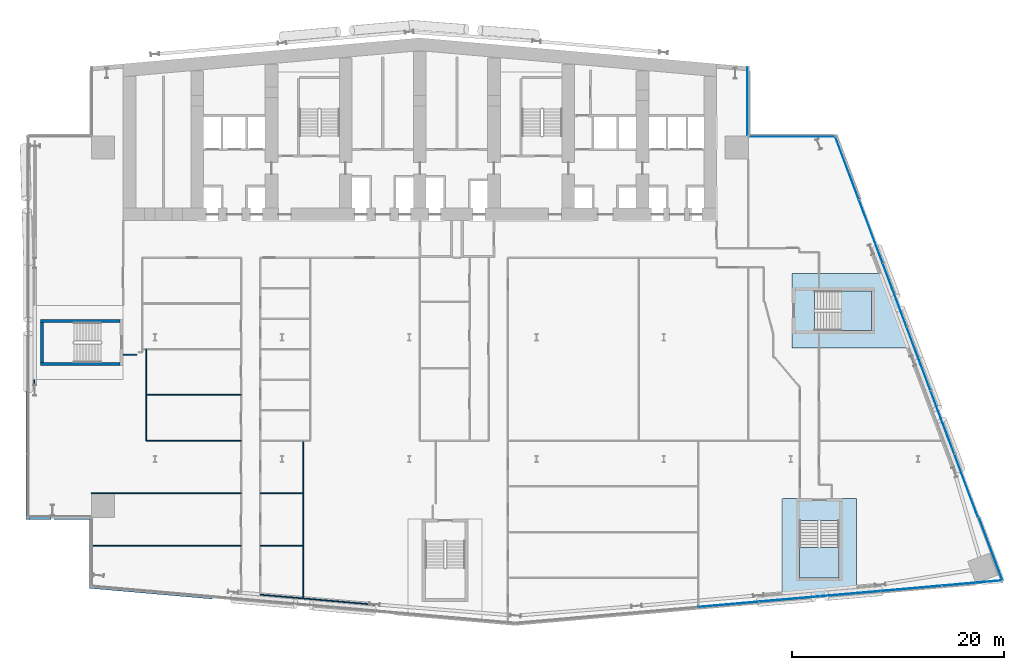
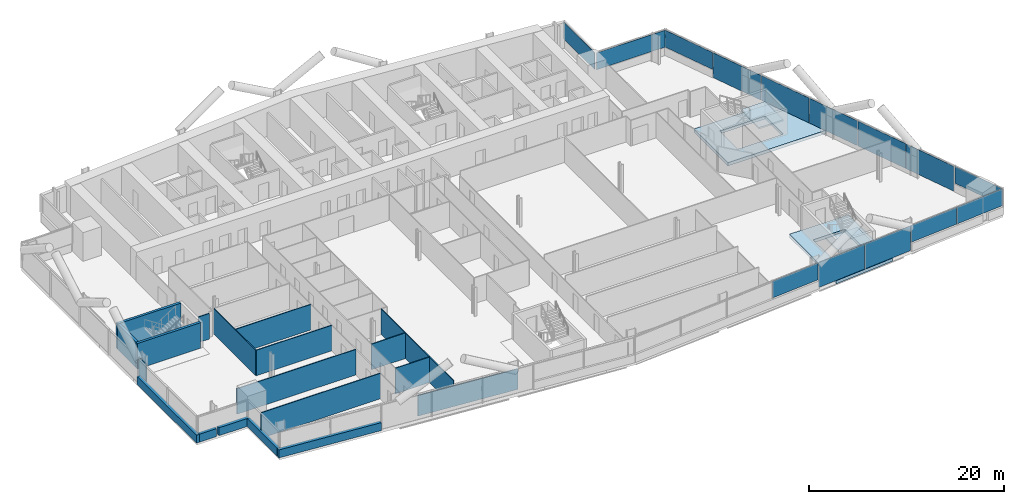
# One storey, part 12 of 27: 19 walls, 14 plates, 4 slabs, 6 elements without a shape of their own.
"""IFC4 building model written with IfcOpenShell, lengths in metres."""

from ifc_helpers import new_model, si_unit, direction, frame, frame_2d, origin, origin_2d, place, context, subcontext, project, spatial, polyline, rectangle, outline, extrude, material, layer, layer_set, type_object, element, aggregate, save


model = new_model("IFC4")

# Units and contexts
model_context = context("Model", 3, precision=1e-05, world=origin(), true_north=direction((0.0, 1.0)))
body_context = subcontext(model_context, "Body", "Model", "MODEL_VIEW")
ifc_project = project(units=[si_unit("LENGTHUNIT", "METRE"), si_unit("AREAUNIT", "SQUARE_METRE"), si_unit("VOLUMEUNIT", "CUBIC_METRE"), si_unit("PLANEANGLEUNIT", "RADIAN"), si_unit("MASSUNIT", "GRAM", prefix="KILO")], contexts=[model_context])

# Site, building, storey
site_placement = place(None, origin())
site = spatial("IfcSite", under=ifc_project, at=site_placement, CompositionType="ELEMENT")
building_placement = place(site_placement, origin())
building = spatial("IfcBuilding", under=site, at=building_placement, Name="Wharfspan Tower", CompositionType="ELEMENT")
storey_placement = place(building_placement, frame((0.0, 0.0, 81.100098)))
storey = spatial("IfcBuildingStorey", under=building, at=storey_placement, Name="L17", CompositionType="ELEMENT", Elevation=81.100098)

# Curtain wall, plates
ifc_material_1 = material(Name="Aluminium 6063-T6", Category="aluminium")
curtain_wall_type_1 = type_object("IfcCurtainWallType", Name="CURTAIN WALL FACETED FRONT", PredefinedType="NOTDEFINED", material=ifc_material_1)
curtain_wall_1_placement = place(storey_placement, origin())
curtain_wall_1 = element("IfcCurtainWall", 1, at=curtain_wall_1_placement, inside=storey, type_object=curtain_wall_type_1, Name="Curtain wall S2", PredefinedType="NOTDEFINED")
ifc_material_2 = material(Name="Glass clear low-iron double glazing", Category="glass")
ifc_layer_1 = layer(ifc_material_2, 0.040039)
ifc_layer_set_1 = layer_set([ifc_layer_1], Name="Glass clear low-iron double glazing")
plate_type_1 = type_object("IfcPlateType", Name="GLASS PANEL FACETED FRONT 40", PredefinedType="CURTAIN_PANEL", material=ifc_layer_set_1)
plate_1_placement = place(storey_placement, frame((66.119873, -2.204102, 0.999756), z_axis=(0.0, 0.0, 1.0), x_axis=(0.996197, 0.087156, 0.0)))
plate_1 = element("IfcPlate", 2, at=plate_1_placement, type_object=plate_type_1, Name="Curtain wall S2 panel 4", PredefinedType="CURTAIN_PANEL", context=body_context, shape_type="SweptSolid", body=[
    extrude(rectangle(XDim=5.711914, YDim=0.040039, at=origin_2d()), origin(), (0.0, 0.0, 1.0), 2.120117),
])
plate_2_placement = place(storey_placement, frame((83.369873, -0.694824, 0.999756), z_axis=(0.0, 0.0, 1.0), x_axis=(0.996197, 0.087156, 0.0)))
plate_2 = element("IfcPlate", 3, at=plate_2_placement, type_object=plate_type_1, Name="Curtain wall S2 panel 7", PredefinedType="CURTAIN_PANEL", context=body_context, shape_type="SweptSolid", body=[
    extrude(rectangle(XDim=5.711914, YDim=0.040039, at=origin_2d()), origin(), (0.0, 0.0, 1.0), 2.120117),
])
plate_3_placement = place(storey_placement, frame((89.104736, -0.193115, 0.999756), z_axis=(0.0, 0.0, 1.0), x_axis=(0.996197, 0.087156, 0.0)))
plate_3 = element("IfcPlate", 4, at=plate_3_placement, type_object=plate_type_1, Name="Curtain wall S2 panel 8", PredefinedType="CURTAIN_PANEL", context=body_context, shape_type="SweptSolid", body=[
    extrude(rectangle(XDim=5.681885, YDim=0.040039, at=origin_2d()), origin(), (0.0, 0.0, 1.0), 2.120117),
])

curtain_wall_type_2 = type_object("IfcCurtainWallType", Name="CURTAIN WALL PROW AND END", PredefinedType="NOTDEFINED", material=ifc_material_1)
curtain_wall_2_placement = place(storey_placement, origin())
curtain_wall_2 = element("IfcCurtainWall", 5, at=curtain_wall_2_placement, inside=storey, type_object=curtain_wall_type_2, Name="Curtain wall E", PredefinedType="NOTDEFINED")
ifc_layer_2 = layer(ifc_material_2, 0.040039)
ifc_layer_set_2 = layer_set([ifc_layer_2], Name="Glass clear low-iron double glazing")
plate_type_2 = type_object("IfcPlateType", Name="GLASS PANEL PROW AND END 40", PredefinedType="CURTAIN_PANEL", material=ifc_layer_set_2)
plate_4_placement = place(storey_placement, frame((90.869629, 3.01416, 0.999756), z_axis=(0.0, 0.0, 1.0), x_axis=(-0.351123, 0.936328, 0.0)))
plate_4 = element("IfcPlate", 6, at=plate_4_placement, type_object=plate_type_2, Name="Curtain wall E panel 1", PredefinedType="CURTAIN_PANEL", context=body_context, shape_type="SweptSolid", body=[
    extrude(rectangle(XDim=6.318115, YDim=0.040039, at=origin_2d()), origin(), (0.0, 0.0, 1.0), 2.120117),
])
plate_5_placement = place(storey_placement, frame((77.30542, 38.957764, 0.999756), z_axis=(0.0, 0.0, 1.0), x_axis=(-0.351123, 0.936328, 0.0)))
plate_5 = element("IfcPlate", 7, at=plate_5_placement, type_object=plate_type_2, Name="Curtain wall E panel 7", PredefinedType="CURTAIN_PANEL", context=body_context, shape_type="SweptSolid", body=[
    extrude(rectangle(XDim=6.318115, YDim=0.040039, at=origin_2d()), origin(), (0.0, 0.0, 1.0), 2.120117),
])

# Curtain wall, plate
curtain_wall_3_placement = place(storey_placement, origin())
curtain_wall_3 = element("IfcCurtainWall", 8, at=curtain_wall_3_placement, inside=storey, type_object=curtain_wall_type_2, Name="Curtain wall NRE-H", PredefinedType="NOTDEFINED")
plate_6_placement = place(storey_placement, frame((72.125, 41.919922, 0.999756), z_axis=(0.0, 0.0, 1.0), x_axis=(-1.0, 0.0, 0.0)))
plate_6 = element("IfcPlate", 9, at=plate_6_placement, type_object=plate_type_2, Name="Curtain wall NRE-H panel 1", PredefinedType="CURTAIN_PANEL", context=body_context, shape_type="SweptSolid", body=[
    extrude(rectangle(XDim=8.129883, YDim=0.040039, at=origin_2d()), origin(), (0.0, 0.0, 1.0), 2.120117),
])
aggregate(curtain_wall_3, [plate_6])

curtain_wall_4_placement = place(storey_placement, origin())
curtain_wall_4 = element("IfcCurtainWall", 10, at=curtain_wall_4_placement, inside=storey, type_object=curtain_wall_type_2, Name="Curtain wall NRE-V", PredefinedType="NOTDEFINED")
plate_7_placement = place(storey_placement, frame((67.919922, 45.262451, 0.999756), z_axis=(0.0, 0.0, 1.0), x_axis=(0.0, 1.0, 0.0)))
plate_7 = element("IfcPlate", 11, at=plate_7_placement, type_object=plate_type_2, Name="Curtain wall NRE-V panel 1", PredefinedType="CURTAIN_PANEL", context=body_context, shape_type="SweptSolid", body=[
    extrude(rectangle(XDim=6.405029, YDim=0.040039, at=origin_2d()), origin(), (0.0, 0.0, 1.0), 2.120117),
])
aggregate(curtain_wall_4, [plate_7])

# Plate
ifc_material_3 = material(Name="Aluminium composite opaque insulated panel", Category="aluminium")
ifc_layer_3 = layer(ifc_material_3, 0.040039)
ifc_layer_set_3 = layer_set([ifc_layer_3], Name="Aluminium composite opaque insulated panel")
plate_type_3 = type_object("IfcPlateType", Name="INFILL PANEL FACETED FRONT OPAQUE 40", PredefinedType="SHEET", material=ifc_layer_set_3)
plate_8_placement = place(storey_placement, frame((71.869873, -1.700928, -0.000244), z_axis=(0.0, 0.0, 1.0), x_axis=(0.996197, 0.087156, 0.0)))
plate_8 = element("IfcPlate", 12, at=plate_8_placement, type_object=plate_type_3, Name="Curtain wall S2 panel 5", PredefinedType="SHEET", context=body_context, shape_type="SweptSolid", body=[
    extrude(rectangle(XDim=5.711914, YDim=0.040039, at=origin_2d()), origin(), (0.0, 0.0, 1.0), 3.120117),
])

plate_9_placement = place(storey_placement, frame((77.619873, -1.197998, -0.000244), z_axis=(0.0, 0.0, 1.0), x_axis=(0.996197, 0.087156, 0.0)))
plate_9 = element("IfcPlate", 13, at=plate_9_placement, type_object=plate_type_3, Name="Curtain wall S2 panel 6", PredefinedType="SHEET", context=body_context, shape_type="SweptSolid", body=[
    extrude(rectangle(XDim=5.711914, YDim=0.040039, at=origin_2d()), origin(), (0.0, 0.0, 1.0), 3.120117),
])

aggregate(curtain_wall_1, [plate_1, plate_8, plate_9, plate_2, plate_3])

ifc_layer_4 = layer(ifc_material_3, 0.040039)
ifc_layer_set_4 = layer_set([ifc_layer_4], Name="Aluminium composite opaque insulated panel")
plate_type_4 = type_object("IfcPlateType", Name="INFILL PANEL PROW AND END OPAQUE 40", PredefinedType="SHEET", material=ifc_layer_set_4)
plate_10_placement = place(storey_placement, frame((88.550049, 8.971924, -0.000244), z_axis=(0.0, 0.0, 1.0), x_axis=(-0.351123, 0.936328, 0.0)))
plate_10 = element("IfcPlate", 14, at=plate_10_placement, type_object=plate_type_4, Name="Curtain wall E panel 2", PredefinedType="SHEET", context=body_context, shape_type="SweptSolid", body=[
    extrude(rectangle(XDim=6.3479, YDim=0.040039, at=origin_2d()), origin(), (0.0, 0.0, 1.0), 3.120117),
])

plate_11_placement = place(storey_placement, frame((86.300049, 14.971924, -0.000244), z_axis=(0.0, 0.0, 1.0), x_axis=(-0.351123, 0.936328, 0.0)))
plate_11 = element("IfcPlate", 15, at=plate_11_placement, type_object=plate_type_4, Name="Curtain wall E panel 3", PredefinedType="SHEET", context=body_context, shape_type="SweptSolid", body=[
    extrude(rectangle(XDim=6.3479, YDim=0.040039, at=origin_2d()), origin(), (0.0, 0.0, 1.0), 3.120117),
])

plate_12_placement = place(storey_placement, frame((84.050049, 20.971924, -0.000244), z_axis=(0.0, 0.0, 1.0), x_axis=(-0.351123, 0.936328, 0.0)))
plate_12 = element("IfcPlate", 16, at=plate_12_placement, type_object=plate_type_4, Name="Curtain wall E panel 4", PredefinedType="SHEET", context=body_context, shape_type="SweptSolid", body=[
    extrude(rectangle(XDim=6.3479, YDim=0.040039, at=origin_2d()), origin(), (0.0, 0.0, 1.0), 3.120117),
])

plate_13_placement = place(storey_placement, frame((81.800049, 26.971924, -0.000244), z_axis=(0.0, 0.0, 1.0), x_axis=(-0.351123, 0.936328, 0.0)))
plate_13 = element("IfcPlate", 17, at=plate_13_placement, type_object=plate_type_4, Name="Curtain wall E panel 5", PredefinedType="SHEET", context=body_context, shape_type="SweptSolid", body=[
    extrude(rectangle(XDim=6.3479, YDim=0.040039, at=origin_2d()), origin(), (0.0, 0.0, 1.0), 3.120117),
])

plate_14_placement = place(storey_placement, frame((79.550049, 32.971924, -0.000244), z_axis=(0.0, 0.0, 1.0), x_axis=(-0.351123, 0.936328, 0.0)))
plate_14 = element("IfcPlate", 18, at=plate_14_placement, type_object=plate_type_4, Name="Curtain wall E panel 6", PredefinedType="SHEET", context=body_context, shape_type="SweptSolid", body=[
    extrude(rectangle(XDim=6.3479, YDim=0.040039, at=origin_2d()), origin(), (0.0, 0.0, 1.0), 3.120117),
])

aggregate(curtain_wall_2, [plate_4, plate_10, plate_11, plate_12, plate_13, plate_14, plate_5])

# Slabs
ifc_material_4 = material(Name="Concrete C40/50", Category="concrete")
ifc_layer_5 = layer(ifc_material_4, 0.399902)
ifc_layer_set_5 = layer_set([ifc_layer_5], Name="Concrete C40/50")
slab_type_1 = type_object("IfcSlabType", Name="Post-tensioned flat slab 400", PredefinedType="FLOOR", material=ifc_layer_set_5)
slab_1_placement = place(storey_placement, frame((0.0, 0.0, -0.400146)))
element("IfcSlab", 19, at=slab_1_placement, inside=storey, type_object=slab_type_1, Name="Core floor slab L17 part 5", PredefinedType="FLOOR", context=body_context, shape_type="SweptSolid", body=[
    extrude(outline(polyline([(78.192383, 7.791992), (76.867432, 7.791992), (72.517578, 7.791992), (71.192383, 7.791992), (71.192383, -1.820312), (78.192383, -1.208008), (78.192383, 7.791992)]), holes=[polyline([(76.567383, 5.694092), (76.567627, 5.694092), (76.567871, 5.694092), (76.568115, 5.693848), (76.568115, 5.693848), (76.568359, 5.693848), (76.568604, 5.693604), (76.568604, 5.693604), (76.568848, 5.693359), (76.569092, 5.693359), (76.569092, 5.693115), (76.569092, 5.692871), (76.569336, 5.692871), (76.569336, 5.692627), (76.569336, 5.692383), (76.56958, 5.692139), (76.56958, 5.691895), (76.56958, 0.291992), (76.56958, 0.291748), (76.569336, 0.291504), (76.569336, 0.291504), (76.569336, 0.29126), (76.569092, 0.291016), (76.569092, 0.291016), (76.569092, 0.290771), (76.568848, 0.290527), (76.568604, 0.290527), (76.568604, 0.290283), (76.568359, 0.290283), (76.568115, 0.290283), (76.568115, 0.290039), (76.567871, 0.290039), (76.567627, 0.290039), (76.567383, 0.290039), (72.817383, 0.290039), (72.817383, 0.290039), (72.817139, 0.290039), (72.816895, 0.290039), (72.81665, 0.290283), (72.816406, 0.290283), (72.816406, 0.290283), (72.816162, 0.290527), (72.816162, 0.290527), (72.815918, 0.290771), (72.815918, 0.291016), (72.815674, 0.291016), (72.815674, 0.29126), (72.815674, 0.291504), (72.81543, 0.291504), (72.81543, 0.291748), (72.81543, 0.291992), (72.81543, 5.691895), (72.81543, 5.692139), (72.81543, 5.692383), (72.815674, 5.692627), (72.815674, 5.692871), (72.815674, 5.692871), (72.815918, 5.693115), (72.815918, 5.693359), (72.816162, 5.693359), (72.816162, 5.693604), (72.816406, 5.693604), (72.816406, 5.693848), (72.81665, 5.693848), (72.816895, 5.693848), (72.817139, 5.694092), (72.817383, 5.694092), (72.817383, 5.694092), (76.567383, 5.694092)])]), origin(), (0.0, 0.0, 1.0), 0.400146),
])
slab_2_placement = place(storey_placement, frame((0.0, 0.0, -0.400146)))
element("IfcSlab", 20, at=slab_2_placement, inside=storey, type_object=slab_type_1, Name="Core floor slab L17 part 6", PredefinedType="FLOOR", context=body_context, shape_type="SweptSolid", body=[
    extrude(outline(polyline([(81.125, 29.0), (72.125, 29.0), (72.125, 27.675049), (72.125, 23.324951), (72.125, 22.0), (83.75, 22.0), (81.125, 29.0)]), holes=[polyline([(74.2229, 27.375), (74.2229, 27.375244), (74.2229, 27.375488), (74.223145, 27.375488), (74.223145, 27.375732), (74.223145, 27.375977), (74.223389, 27.376221), (74.223389, 27.376221), (74.223633, 27.376465), (74.223633, 27.376465), (74.223877, 27.376709), (74.224121, 27.376709), (74.224121, 27.376709), (74.224365, 27.376953), (74.224609, 27.376953), (74.224854, 27.376953), (74.225098, 27.376953), (79.625, 27.376953), (79.625244, 27.376953), (79.625488, 27.376953), (79.625488, 27.376953), (79.625732, 27.376709), (79.625977, 27.376709), (79.626221, 27.376709), (79.626221, 27.376465), (79.626465, 27.376465), (79.626465, 27.376221), (79.626709, 27.376221), (79.626709, 27.375977), (79.626709, 27.375732), (79.626953, 27.375488), (79.626953, 27.375488), (79.626953, 27.375244), (79.626953, 27.375), (79.626953, 23.625), (79.626953, 23.624756), (79.626953, 23.624512), (79.626953, 23.624512), (79.626709, 23.624268), (79.626709, 23.624023), (79.626709, 23.623779), (79.626465, 23.623779), (79.626465, 23.623535), (79.626221, 23.623535), (79.626221, 23.623291), (79.625977, 23.623291), (79.625732, 23.623291), (79.625488, 23.623047), (79.625488, 23.623047), (79.625244, 23.623047), (79.625, 23.623047), (74.225098, 23.623047), (74.224854, 23.623047), (74.224609, 23.623047), (74.224365, 23.623047), (74.224121, 23.623291), (74.224121, 23.623291), (74.223877, 23.623291), (74.223633, 23.623535), (74.223633, 23.623535), (74.223389, 23.623779), (74.223389, 23.623779), (74.223145, 23.624023), (74.223145, 23.624268), (74.223145, 23.624512), (74.2229, 23.624512), (74.2229, 23.624756), (74.2229, 23.625), (74.2229, 27.375)])]), origin(), (0.0, 0.0, 1.0), 0.400146),
])

# Stair, slab
stair_type = type_object("IfcStairType", Name="Half-turn stair 20 risers 180 mm", PredefinedType="HALF_TURN_STAIR", material=ifc_material_4)
stair_1_placement = place(storey_placement, origin())
stair_1 = element("IfcStair", 21, at=stair_1_placement, inside=storey, type_object=stair_type, Name="L17 stair ST5", PredefinedType="HALF_TURN_STAIR")
ifc_layer_6 = layer(ifc_material_4, 0.199951)
ifc_layer_set_6 = layer_set([ifc_layer_6], Name="Concrete C40/50")
slab_type_2 = type_object("IfcSlabType", Name="Stair landing 200", PredefinedType="LANDING", material=ifc_layer_set_6)
slab_3_placement = place(storey_placement, frame((0.0, 0.0, 1.599609)))
slab_3 = element("IfcSlab", 22, at=slab_3_placement, type_object=slab_type_2, Name="ST5 landing 1", PredefinedType="LANDING", context=body_context, shape_type="SweptSolid", body=[
    extrude(outline(polyline([(72.817383, 3.172119), (72.817383, 0.291992), (76.567383, 0.291992), (76.567383, 3.172119), (72.817383, 3.172119)])), origin(), (0.0, 0.0, 1.0), 0.200195),
])
aggregate(stair_1, [slab_3])

stair_2_placement = place(storey_placement, origin())
stair_2 = element("IfcStair", 23, at=stair_2_placement, inside=storey, type_object=stair_type, Name="L17 stair ST6", PredefinedType="HALF_TURN_STAIR")
slab_4_placement = place(storey_placement, frame((0.0, 0.0, 1.599609)))
slab_4 = element("IfcSlab", 24, at=slab_4_placement, type_object=slab_type_2, Name="ST6 landing 1", PredefinedType="LANDING", context=body_context, shape_type="SweptSolid", body=[
    extrude(outline(polyline([(76.745117, 23.625), (79.625, 23.625), (79.625, 27.375), (76.745117, 27.375), (76.745117, 23.625)])), origin(), (0.0, 0.0, 1.0), 0.200195),
])
aggregate(stair_2, [slab_4])

# Walls
ifc_material_5 = material(Name="Gypsum board on steel studs", Category="steel")
ifc_layer_7 = layer(ifc_material_5, 0.100098)
ifc_layer_set_7 = layer_set([ifc_layer_7], Name="Gypsum board on steel studs")
wall_type_1 = type_object("IfcWallType", Name="Compartment wall 100 EI 60", PredefinedType="PARTITIONING", material=ifc_layer_set_7)
wall_1_placement = place(storey_placement, frame((6.0, 8.274902, 0.0), z_axis=(0.0, 0.0, 1.0), x_axis=(1.0, 0.0, 0.0)))
element("IfcWall", 25, at=wall_1_placement, inside=storey, type_object=wall_type_1, Name="Partition L17.w004", PredefinedType="PARTITIONING", context=body_context, shape_type="SweptSolid", body=[
    extrude(rectangle(XDim=14.139893, YDim=0.100098, at=frame_2d((7.069824, 0.0))), origin(), (0.0, 0.0, 1.0), 3.199951),
])
wall_2_placement = place(storey_placement, frame((6.02002, 3.314941, 0.0), z_axis=(0.0, 0.0, 1.0), x_axis=(1.0, 0.0, 0.0)))
element("IfcWall", 26, at=wall_2_placement, inside=storey, type_object=wall_type_1, Name="Partition L17.w005", PredefinedType="PARTITIONING", context=body_context, shape_type="SweptSolid", body=[
    extrude(rectangle(XDim=14.119873, YDim=0.100098, at=frame_2d((7.060059, 0.0))), origin(), (0.0, 0.0, 1.0), 3.199951),
])
wall_3_placement = place(storey_placement, frame((9.02002, 21.350098, 0.0), z_axis=(0.0, 0.0, 1.0), x_axis=(1.0, 0.0, 0.0)))
element("IfcWall", 27, at=wall_3_placement, inside=storey, type_object=wall_type_1, Name="Partition L17.w007", PredefinedType="PARTITIONING", context=body_context, shape_type="SweptSolid", body=[
    extrude(rectangle(XDim=1.280029, YDim=0.100098, at=frame_2d((0.640137, 0.0))), origin(), (0.0, 0.0, 1.0), 3.199951),
])
for number, where, z_axis, x_axis, name in (
    (28, (11.169922, 13.23999, 0.0), (0.0, 0.0, 1.0), (1.0, 0.0, 0.0), "Partition L17.w014"),
    (29, (11.169922, 17.554932, 0.0), (0.0, 0.0, 1.0), (1.0, 0.0, 0.0), "Partition L17.w015"),
):
    element("IfcWall", number, at=place(storey_placement, frame(where, z_axis=z_axis, x_axis=x_axis)), inside=storey, type_object=wall_type_1, Name=name, PredefinedType="PARTITIONING", context=body_context, shape_type="SweptSolid", body=[
        extrude(rectangle(XDim=8.969971, YDim=0.100098, at=frame_2d((4.484863, 0.0))), origin(), (0.0, 0.0, 1.0), 3.199951),
    ])
for number, where, z_axis, x_axis, name in (
    (30, (21.939941, 3.314941, 0.0), (0.0, 0.0, 1.0), (1.0, 0.0, 0.0), "Partition L17.w018"),
    (31, (21.939941, 8.274902, 0.0), (0.0, 0.0, 1.0), (1.0, 0.0, 0.0), "Partition L17.w019"),
):
    element("IfcWall", number, at=place(storey_placement, frame(where, z_axis=z_axis, x_axis=x_axis)), inside=storey, type_object=wall_type_1, Name=name, PredefinedType="PARTITIONING", context=body_context, shape_type="SweptSolid", body=[
        extrude(rectangle(XDim=4.060059, YDim=0.100098, at=frame_2d((2.030029, 0.0))), origin(), (0.0, 0.0, 1.0), 3.199951),
    ])
wall_4_placement = place(storey_placement, frame((33.219971, -2.274902, 0.0), z_axis=(0.0, 0.0, 1.0), x_axis=(-0.996212, 0.086913, 0.0)))
element("IfcWall", 32, at=wall_4_placement, inside=storey, type_object=wall_type_1, Name="Partition L17.w031", PredefinedType="PARTITIONING", context=body_context, shape_type="SweptSolid", body=[
    extrude(rectangle(XDim=11.323242, YDim=0.100098, at=frame_2d((5.661621, 0.0))), origin(), (0.0, 0.0, 1.0), 2.579834),
])
ifc_layer_8 = layer(ifc_material_5, 0.100098)
ifc_layer_set_8 = layer_set([ifc_layer_8], Name="Gypsum board on steel studs")
wall_type_2 = type_object("IfcWallType", Name="Partition 100", PredefinedType="PARTITIONING", material=ifc_layer_set_8)
wall_5_placement = place(storey_placement, frame((0.629883, 17.5, 0.0), z_axis=(0.0, 0.0, 1.0), x_axis=(0.0, 1.0, 0.0)))
element("IfcWall", 33, at=wall_5_placement, inside=storey, type_object=wall_type_2, Name="Partition L17.w001", PredefinedType="PARTITIONING", context=body_context, shape_type="SweptSolid", body=[
    extrude(rectangle(XDim=1.47998, YDim=0.100098, at=frame_2d((0.73999, 0.0))), origin(), (0.0, 0.0, 1.0), 2.579834),
])
wall_6_placement = place(storey_placement, frame((11.169922, 13.23999, 0.0), z_axis=(0.0, 0.0, 1.0), x_axis=(0.0, 1.0, 0.0)))
element("IfcWall", 34, at=wall_6_placement, inside=storey, type_object=wall_type_2, Name="Partition L17.w013", PredefinedType="PARTITIONING", context=body_context, shape_type="SweptSolid", body=[
    extrude(rectangle(XDim=8.630127, YDim=0.100098, at=frame_2d((4.314941, 0.0))), origin(), (0.0, 0.0, 1.0), 3.199951),
])
wall_7_placement = place(storey_placement, frame((26.0, -1.64502, 0.0), z_axis=(0.0, 0.0, 1.0), x_axis=(0.0, 1.0, 0.0)))
element("IfcWall", 35, at=wall_7_placement, inside=storey, type_object=wall_type_2, Name="Partition L17.w027", PredefinedType="PARTITIONING", context=body_context, shape_type="SweptSolid", body=[
    extrude(rectangle(XDim=14.88501, YDim=0.100098, at=frame_2d((7.442383, 0.0))), origin(), (0.0, 0.0, 1.0), 3.199951),
])
ifc_layer_9 = layer(ifc_material_4, 0.350098)
ifc_layer_set_9 = layer_set([ifc_layer_9], Name="Concrete C40/50")
wall_type_3 = type_object("IfcWallType", Name="SPANDREL EXPOSED CONCRETE 350", PredefinedType="SOLIDWALL", material=ifc_layer_set_9)
wall_8_placement = place(storey_placement, frame((5.835205, -0.515625, 0.0), z_axis=(0.0, 0.0, 1.0), x_axis=(0.996192, -0.087142, 0.0)))
element("IfcWall", 36, at=wall_8_placement, inside=storey, type_object=wall_type_3, Name="Spandrel upstand L17 S1 1", PredefinedType="SOLIDWALL", context=body_context, shape_type="SweptSolid", body=[
    extrude(rectangle(XDim=11.607178, YDim=0.350098, at=frame_2d((5.803711, 0.0))), origin(), (0.0, 0.0, 1.0), 1.0),
])
wall_9_placement = place(storey_placement, frame((-0.004883, 17.969971, 0.0), z_axis=(0.0, 0.0, 1.0), x_axis=(0.0, -1.0, 0.0)))
element("IfcWall", 37, at=wall_9_placement, inside=storey, type_object=wall_type_3, Name="Spandrel upstand L17 W", PredefinedType="SOLIDWALL", context=body_context, shape_type="SweptSolid", body=[
    extrude(rectangle(XDim=12.149902, YDim=0.350098, at=frame_2d((6.074951, 0.0))), origin(), (0.0, 0.0, 1.0), 1.0),
])
wall_10_placement = place(storey_placement, frame((0.169922, 5.995117, 0.0), z_axis=(0.0, 0.0, 1.0), x_axis=(1.0, 0.0, 0.0)))
element("IfcWall", 38, at=wall_10_placement, inside=storey, type_object=wall_type_3, Name="Spandrel upstand L17 NFW-H", PredefinedType="SOLIDWALL", context=body_context, shape_type="SweptSolid", body=[
    extrude(rectangle(XDim=2.010742, YDim=0.350098, at=frame_2d((1.005371, 0.0))), origin(), (0.0, 0.0, 1.0), 1.0),
])
wall_11_placement = place(storey_placement, frame((2.482666, 5.995117, 0.0), z_axis=(0.0, 0.0, 1.0), x_axis=(1.0, 0.0, 0.0)))
element("IfcWall", 39, at=wall_11_placement, inside=storey, type_object=wall_type_3, Name="Spandrel upstand L17 NFW-H 2", PredefinedType="SOLIDWALL", context=body_context, shape_type="SweptSolid", body=[
    extrude(rectangle(XDim=3.517334, YDim=0.350098, at=frame_2d((1.758789, 0.0))), origin(), (0.0, 0.0, 1.0), 1.0),
])
wall_12_placement = place(storey_placement, frame((5.995117, 5.820068, 0.0), z_axis=(0.0, 0.0, 1.0), x_axis=(0.0, -1.0, 0.0)))
element("IfcWall", 40, at=wall_12_placement, inside=storey, type_object=wall_type_3, Name="Spandrel upstand L17 NFW-V", PredefinedType="SOLIDWALL", context=body_context, shape_type="SweptSolid", body=[
    extrude(rectangle(XDim=6.161377, YDim=0.350098, at=frame_2d((3.080566, 0.0))), origin(), (0.0, 0.0, 1.0), 1.0),
])
ifc_layer_10 = layer(ifc_material_4, 0.300049)
ifc_layer_set_10 = layer_set([ifc_layer_10], Name="Concrete C40/50")
wall_type_4 = type_object("IfcWallType", Name="Stair core wall 300", PredefinedType="SHEAR", material=ifc_layer_set_10)
for number, where, z_axis, x_axis, name in (
    (41, (1.199951, 20.475098, 0.0), (0.0, 0.0, 1.0), (1.0, 0.0, 0.0), "ST3 stair enclosure wall L17"),
    (42, (1.199951, 24.524902, 0.0), (0.0, 0.0, 1.0), (1.0, 0.0, 0.0), "ST3 stair enclosure wall L17"),
):
    element("IfcWall", number, at=place(storey_placement, frame(where, z_axis=z_axis, x_axis=x_axis)), inside=storey, type_object=wall_type_4, Name=name, PredefinedType="SHEAR", context=body_context, shape_type="SweptSolid", body=[
        extrude(rectangle(XDim=7.5, YDim=0.300049, at=frame_2d((3.75, 0.0))), origin(), (0.0, 0.0, 1.0), 3.199951),
    ])
wall_13_placement = place(storey_placement, frame((1.350098, 20.625, 0.0), z_axis=(0.0, 0.0, 1.0), x_axis=(0.0, 1.0, 0.0)))
element("IfcWall", 43, at=wall_13_placement, inside=storey, type_object=wall_type_4, Name="ST3 stair enclosure wall L17", PredefinedType="SHEAR", context=body_context, shape_type="SweptSolid", body=[
    extrude(rectangle(XDim=3.75, YDim=0.300049, at=frame_2d((1.875, 0.0))), origin(), (0.0, 0.0, 1.0), 3.199951),
])

save(model, "model.ifc")
